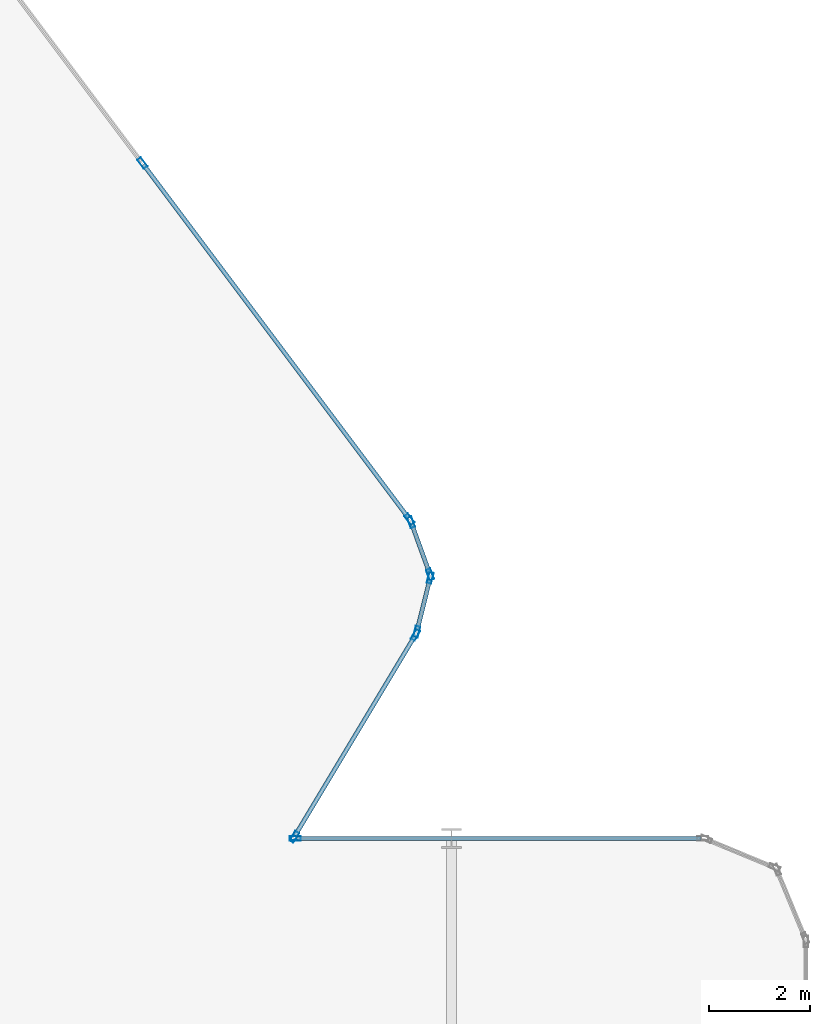
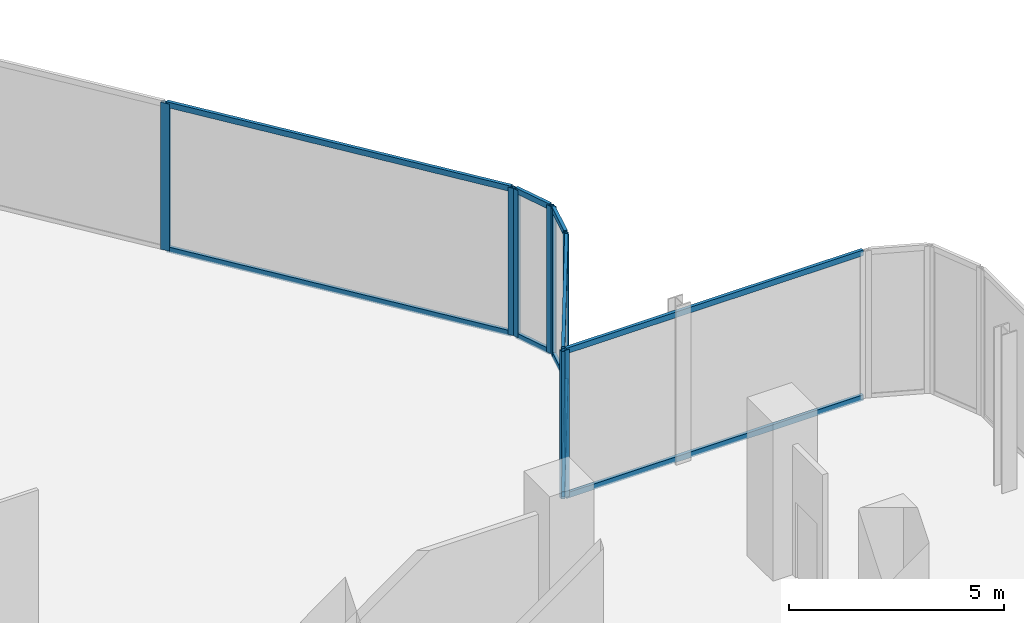
# One storey, part 16 of 30: 19 members, 5 elements without a shape of their own.
"""IFC4 building model written with IfcOpenShell, lengths in metres."""

from ifc_helpers import new_model, si_unit, direction, frame, origin, origin_2d, place, context, subcontext, project, spatial, hollow_rectangle, extrude, material, layer, layer_set, material_profile, profile_set, type_object, element, aggregate, save


model = new_model("IFC4")

# Units and contexts
model_context = context("Model", 3, precision=1e-05, world=origin(), true_north=direction((0.0, 1.0)))
body_context = subcontext(model_context, "Body", "Model", "MODEL_VIEW")
ifc_project = project(units=[si_unit("LENGTHUNIT", "METRE"), si_unit("AREAUNIT", "SQUARE_METRE"), si_unit("VOLUMEUNIT", "CUBIC_METRE"), si_unit("PLANEANGLEUNIT", "RADIAN"), si_unit("MASSUNIT", "GRAM", prefix="KILO")], contexts=[model_context])

# Site, building, storey
site_placement = place(None, origin())
site = spatial("IfcSite", under=ifc_project, at=site_placement, CompositionType="ELEMENT")
building_placement = place(site_placement, origin())
building = spatial("IfcBuilding", under=site, at=building_placement, Name="Keshet Zoharim Tower", CompositionType="ELEMENT")
storey_placement = place(building_placement, frame((0.0, 0.0, 65.60009765625)))
storey = spatial("IfcBuildingStorey", under=building, at=storey_placement, Name="L15", CompositionType="ELEMENT", Elevation=65.60009765625)

# Curtain wall, members
ifc_material = material(Name="Aluminium 6063-T6", Category="aluminium")
ifc_layer_1 = layer(ifc_material, 0.169921875)
ifc_layer_set_1 = layer_set([ifc_layer_1], Name="Aluminium 6063-T6")
curtain_wall_type_1 = type_object("IfcCurtainWallType", Name="CW-SYS-02", PredefinedType="NOTDEFINED", material=ifc_layer_set_1)
curtain_wall_1_placement = place(storey_placement, origin())
curtain_wall_1 = element("IfcCurtainWall", 1, at=curtain_wall_1_placement, inside=storey, type_object=curtain_wall_type_1, Name="L15 Unitised Curtain Wall 06", PredefinedType="NOTDEFINED")
ifc_material_profile_1 = material_profile(ifc_material, hollow_rectangle(XDim=0.090087890625, YDim=0.219970703125, WallThickness=0.0048828125, at=origin_2d()), Name="MUL-90x220")
ifc_profile_set_1 = profile_set([ifc_material_profile_1], Name="Aluminium 6063-T6")
member_type_1 = type_object("IfcMemberType", Name="CWM-M22", PredefinedType="MULLION", material=ifc_profile_set_1)
member_1_placement = place(storey_placement, frame((56.896484375, 46.0380859375, 0.0), z_axis=(0.0, 0.0, 1.0), x_axis=(0.799999999998, 0.600000000002, 0.0)))
member_1 = element("IfcMember", 2, at=member_1_placement, type_object=member_type_1, Name="CW-02 mullion 2", PredefinedType="MULLION", context=body_context, shape_type="SweptSolid", body=[
    extrude(hollow_rectangle(XDim=0.090087890625, YDim=0.219970703125, WallThickness=0.0048828125, at=origin_2d()), origin(), (0.0, 0.0, 1.0), 4.184814453125),
])
member_2_placement = place(storey_placement, frame((62.172119140625, 39.00390625, 0.0), z_axis=(0.0, 0.0, 1.0), x_axis=(0.799999999998, 0.600000000002, 0.0)))
member_2 = element("IfcMember", 3, at=member_2_placement, type_object=member_type_1, Name="CW-02 mullion 3", PredefinedType="MULLION", context=body_context, shape_type="SweptSolid", body=[
    extrude(hollow_rectangle(XDim=0.090087890625, YDim=0.219970703125, WallThickness=0.0048828125, at=origin_2d()), origin(), (0.0, 0.0, 1.0), 4.184814453125),
])

curtain_wall_2_placement = place(storey_placement, origin())
curtain_wall_2 = element("IfcCurtainWall", 4, at=curtain_wall_2_placement, inside=storey, type_object=curtain_wall_type_1, Name="L15 Unitised Curtain Wall 07", PredefinedType="NOTDEFINED")
member_3_placement = place(storey_placement, frame((62.204833984375, 38.943115234375, 0.0), z_axis=(0.0, 0.0, 1.0), x_axis=(0.940317877544, 0.340297354046, 0.0)))
member_3 = element("IfcMember", 5, at=member_3_placement, type_object=member_type_1, Name="CW-02 mullion 1", PredefinedType="MULLION", context=body_context, shape_type="SweptSolid", body=[
    extrude(hollow_rectangle(XDim=0.090087890625, YDim=0.219970703125, WallThickness=0.0048828125, at=origin_2d()), origin(), (0.0, 0.0, 1.0), 4.184814453125),
])
member_4_placement = place(storey_placement, frame((62.578125, 37.911865234375, 0.0), z_axis=(0.0, 0.0, 1.0), x_axis=(0.940317877544, 0.340297354046, 0.0)))
member_4 = element("IfcMember", 6, at=member_4_placement, type_object=member_type_1, Name="CW-02 mullion 2", PredefinedType="MULLION", context=body_context, shape_type="SweptSolid", body=[
    extrude(hollow_rectangle(XDim=0.090087890625, YDim=0.219970703125, WallThickness=0.0048828125, at=origin_2d()), origin(), (0.0, 0.0, 1.0), 4.184814453125),
])

curtain_wall_3_placement = place(storey_placement, origin())
curtain_wall_3 = element("IfcCurtainWall", 7, at=curtain_wall_3_placement, inside=storey, type_object=curtain_wall_type_1, Name="L15 Unitised Curtain Wall 08", PredefinedType="NOTDEFINED")
member_5_placement = place(storey_placement, frame((62.58154296875, 37.844970703125, 0.0), z_axis=(0.0, 0.0, 1.0), x_axis=(0.970343857447, -0.241728770141, 0.0)))
member_5 = element("IfcMember", 8, at=member_5_placement, type_object=member_type_1, Name="CW-02 mullion 1", PredefinedType="MULLION", context=body_context, shape_type="SweptSolid", body=[
    extrude(hollow_rectangle(XDim=0.090087890625, YDim=0.219970703125, WallThickness=0.0048828125, at=origin_2d()), origin(), (0.0, 0.0, 1.0), 4.184814453125),
])
member_6_placement = place(storey_placement, frame((62.31640625, 36.781005859375, 0.0), z_axis=(0.0, 0.0, 1.0), x_axis=(0.970343857447, -0.241728770141, 0.0)))
member_6 = element("IfcMember", 9, at=member_6_placement, type_object=member_type_1, Name="CW-02 mullion 2", PredefinedType="MULLION", context=body_context, shape_type="SweptSolid", body=[
    extrude(hollow_rectangle(XDim=0.090087890625, YDim=0.219970703125, WallThickness=0.0048828125, at=origin_2d()), origin(), (0.0, 0.0, 1.0), 4.184814453125),
])

ifc_layer_2 = layer(ifc_material, 0.179931640625)
ifc_layer_set_2 = layer_set([ifc_layer_2], Name="Aluminium 6063-T6")
curtain_wall_type_2 = type_object("IfcCurtainWallType", Name="CW-SYS-01", PredefinedType="NOTDEFINED", material=ifc_layer_set_2)
curtain_wall_4_placement = place(storey_placement, origin())
curtain_wall_4 = element("IfcCurtainWall", 10, at=curtain_wall_4_placement, inside=storey, type_object=curtain_wall_type_2, Name="L15 Unitised Curtain Wall 09", PredefinedType="NOTDEFINED")
member_7_placement = place(storey_placement, frame((62.2900390625, 36.717041015625, 0.0), z_axis=(0.0, 0.0, 1.0), x_axis=(0.857511621163, -0.51446459506, 0.0)))
member_7 = element("IfcMember", 11, at=member_7_placement, type_object=member_type_1, Name="CW-01 mullion 1", PredefinedType="MULLION", context=body_context, shape_type="SweptSolid", body=[
    extrude(hollow_rectangle(XDim=0.090087890625, YDim=0.219970703125, WallThickness=0.0048828125, at=origin_2d()), origin(), (0.0, 0.0, 1.0), 4.184814453125),
])
member_8_placement = place(storey_placement, frame((59.89794921875, 32.72998046875, 0.0), z_axis=(0.0, 0.0, 1.0), x_axis=(0.857511621163, -0.51446459506, 0.0)))
member_8 = element("IfcMember", 12, at=member_8_placement, type_object=member_type_1, Name="CW-01 mullion 2", PredefinedType="MULLION", context=body_context, shape_type="SweptSolid", body=[
    extrude(hollow_rectangle(XDim=0.090087890625, YDim=0.219970703125, WallThickness=0.0048828125, at=origin_2d()), origin(), (0.0, 0.0, 1.0), 4.184814453125),
])

# Curtain wall, member
curtain_wall_5_placement = place(storey_placement, origin())
curtain_wall_5 = element("IfcCurtainWall", 13, at=curtain_wall_5_placement, inside=storey, type_object=curtain_wall_type_1, Name="L15 Unitised Curtain Wall 10", PredefinedType="NOTDEFINED")
member_9_placement = place(storey_placement, frame((59.9150390625, 32.699951171875, 0.0), z_axis=(0.0, 0.0, 1.0), x_axis=(0.0, 1.0, 0.0)))
member_9 = element("IfcMember", 14, at=member_9_placement, type_object=member_type_1, Name="CW-02 mullion 1", PredefinedType="MULLION", context=body_context, shape_type="SweptSolid", body=[
    extrude(hollow_rectangle(XDim=0.090087890625, YDim=0.219970703125, WallThickness=0.0048828125, at=origin_2d()), origin(), (0.0, 0.0, 1.0), 4.184814453125),
])

# Member
ifc_material_profile_2 = material_profile(ifc_material, hollow_rectangle(XDim=0.0849609375, YDim=0.159912109375, WallThickness=0.00439453125, at=origin_2d()), Name="TRN-85x160")
ifc_profile_set_2 = profile_set([ifc_material_profile_2], Name="Aluminium 6063-T6")
member_type_2 = type_object("IfcMemberType", Name="CWT-T16", PredefinedType="USERDEFINED", material=ifc_profile_set_2)
member_10_placement = place(storey_placement, frame((56.91748046875, 46.010009765625, 0.034912109375), z_axis=(0.599991043201, -0.800006717521, 0.0), x_axis=(0.800006717521, 0.599991043201, 0.0)))
member_10 = element("IfcMember", 15, at=member_10_placement, type_object=member_type_2, Name="CW-02 transom 2.1", ObjectType="TRANSOM", PredefinedType="USERDEFINED", context=body_context, shape_type="SweptSolid", body=[
    extrude(hollow_rectangle(XDim=0.0849609375, YDim=0.159912109375, WallThickness=0.00439453125, at=origin_2d()), origin(), (0.0, 0.0, 1.0), 8.722412109375),
])

member_11_placement = place(storey_placement, frame((56.91748046875, 46.010009765625, 4.14990234375), z_axis=(0.599991043201, -0.800006717521, 0.0), x_axis=(0.800006717521, 0.599991043201, 0.0)))
member_11 = element("IfcMember", 16, at=member_11_placement, type_object=member_type_2, Name="CW-02 transom 2.2", ObjectType="TRANSOM", PredefinedType="USERDEFINED", context=body_context, shape_type="SweptSolid", body=[
    extrude(hollow_rectangle(XDim=0.0849609375, YDim=0.159912109375, WallThickness=0.00439453125, at=origin_2d()), origin(), (0.0, 0.0, 1.0), 8.722412109375),
])

aggregate(curtain_wall_1, [member_1, member_2, member_10, member_11])

member_12_placement = place(storey_placement, frame((62.216796875, 38.91015625, 0.034912109375), z_axis=(0.340310579984, -0.940313091024, 0.0), x_axis=(0.940313091024, 0.340310579984, 0.0)))
member_12 = element("IfcMember", 17, at=member_12_placement, type_object=member_type_2, Name="CW-02 transom 1.1", ObjectType="TRANSOM", PredefinedType="USERDEFINED", context=body_context, shape_type="SweptSolid", body=[
    extrude(hollow_rectangle(XDim=0.0849609375, YDim=0.159912109375, WallThickness=0.00439453125, at=origin_2d()), origin(), (0.0, 0.0, 1.0), 1.026611328125),
])

member_13_placement = place(storey_placement, frame((62.216796875, 38.91015625, 4.14990234375), z_axis=(0.340310579984, -0.940313091024, 0.0), x_axis=(0.940313091024, 0.340310579984, 0.0)))
member_13 = element("IfcMember", 18, at=member_13_placement, type_object=member_type_2, Name="CW-02 transom 1.2", ObjectType="TRANSOM", PredefinedType="USERDEFINED", context=body_context, shape_type="SweptSolid", body=[
    extrude(hollow_rectangle(XDim=0.0849609375, YDim=0.159912109375, WallThickness=0.00439453125, at=origin_2d()), origin(), (0.0, 0.0, 1.0), 1.026611328125),
])

aggregate(curtain_wall_2, [member_3, member_4, member_12, member_13])

member_14_placement = place(storey_placement, frame((62.572998046875, 37.81103515625, 0.034912109375), z_axis=(-0.241640143717, -0.970365931463, 0.0), x_axis=(0.970365931463, -0.241640143717, 0.0)))
member_14 = element("IfcMember", 19, at=member_14_placement, type_object=member_type_2, Name="CW-02 transom 1.1", ObjectType="TRANSOM", PredefinedType="USERDEFINED", context=body_context, shape_type="SweptSolid", body=[
    extrude(hollow_rectangle(XDim=0.0849609375, YDim=0.159912109375, WallThickness=0.00439453125, at=origin_2d()), origin(), (0.0, 0.0, 1.0), 1.026611328125),
])

member_15_placement = place(storey_placement, frame((62.572998046875, 37.81103515625, 4.14990234375), z_axis=(-0.241640143717, -0.970365931463, 0.0), x_axis=(0.970365931463, -0.241640143717, 0.0)))
member_15 = element("IfcMember", 20, at=member_15_placement, type_object=member_type_2, Name="CW-02 transom 1.2", ObjectType="TRANSOM", PredefinedType="USERDEFINED", context=body_context, shape_type="SweptSolid", body=[
    extrude(hollow_rectangle(XDim=0.0849609375, YDim=0.159912109375, WallThickness=0.00439453125, at=origin_2d()), origin(), (0.0, 0.0, 1.0), 1.026611328125),
])

aggregate(curtain_wall_3, [member_5, member_6, member_14, member_15])

member_16_placement = place(storey_placement, frame((62.27197265625, 36.68701171875, 0.034912109375), z_axis=(-0.514456555213, -0.857516444622, 0.0), x_axis=(0.857516444622, -0.514456555213, 0.0)))
member_16 = element("IfcMember", 21, at=member_16_placement, type_object=member_type_2, Name="CW-01 transom 1.1", ObjectType="TRANSOM", PredefinedType="USERDEFINED", context=body_context, shape_type="SweptSolid", body=[
    extrude(hollow_rectangle(XDim=0.0849609375, YDim=0.159912109375, WallThickness=0.00439453125, at=origin_2d()), origin(), (0.0, 0.0, 1.0), 4.57958984375),
])

member_17_placement = place(storey_placement, frame((62.27197265625, 36.68701171875, 4.14990234375), z_axis=(-0.514456555213, -0.857516444622, 0.0), x_axis=(0.857516444622, -0.514456555213, 0.0)))
member_17 = element("IfcMember", 22, at=member_17_placement, type_object=member_type_2, Name="CW-01 transom 1.2", ObjectType="TRANSOM", PredefinedType="USERDEFINED", context=body_context, shape_type="SweptSolid", body=[
    extrude(hollow_rectangle(XDim=0.0849609375, YDim=0.159912109375, WallThickness=0.00439453125, at=origin_2d()), origin(), (0.0, 0.0, 1.0), 4.57958984375),
])

aggregate(curtain_wall_4, [member_7, member_8, member_16, member_17])

member_18_placement = place(storey_placement, frame((59.949951171875, 32.699951171875, 0.034912109375), z_axis=(1.0, 0.0, 0.0), x_axis=(0.0, 1.0, 0.0)))
member_18 = element("IfcMember", 23, at=member_18_placement, type_object=member_type_2, Name="CW-02 transom 1.1", ObjectType="TRANSOM", PredefinedType="USERDEFINED", context=body_context, shape_type="SweptSolid", body=[
    extrude(hollow_rectangle(XDim=0.0849609375, YDim=0.159912109375, WallThickness=0.00439453125, at=origin_2d()), origin(), (0.0, 0.0, 1.0), 7.97998046875),
])

member_19_placement = place(storey_placement, frame((59.949951171875, 32.699951171875, 4.14990234375), z_axis=(1.0, 0.0, 0.0), x_axis=(0.0, 1.0, 0.0)))
member_19 = element("IfcMember", 24, at=member_19_placement, type_object=member_type_2, Name="CW-02 transom 1.2", ObjectType="TRANSOM", PredefinedType="USERDEFINED", context=body_context, shape_type="SweptSolid", body=[
    extrude(hollow_rectangle(XDim=0.0849609375, YDim=0.159912109375, WallThickness=0.00439453125, at=origin_2d()), origin(), (0.0, 0.0, 1.0), 7.97998046875),
])

aggregate(curtain_wall_5, [member_9, member_18, member_19])

save(model, "model.ifc")
